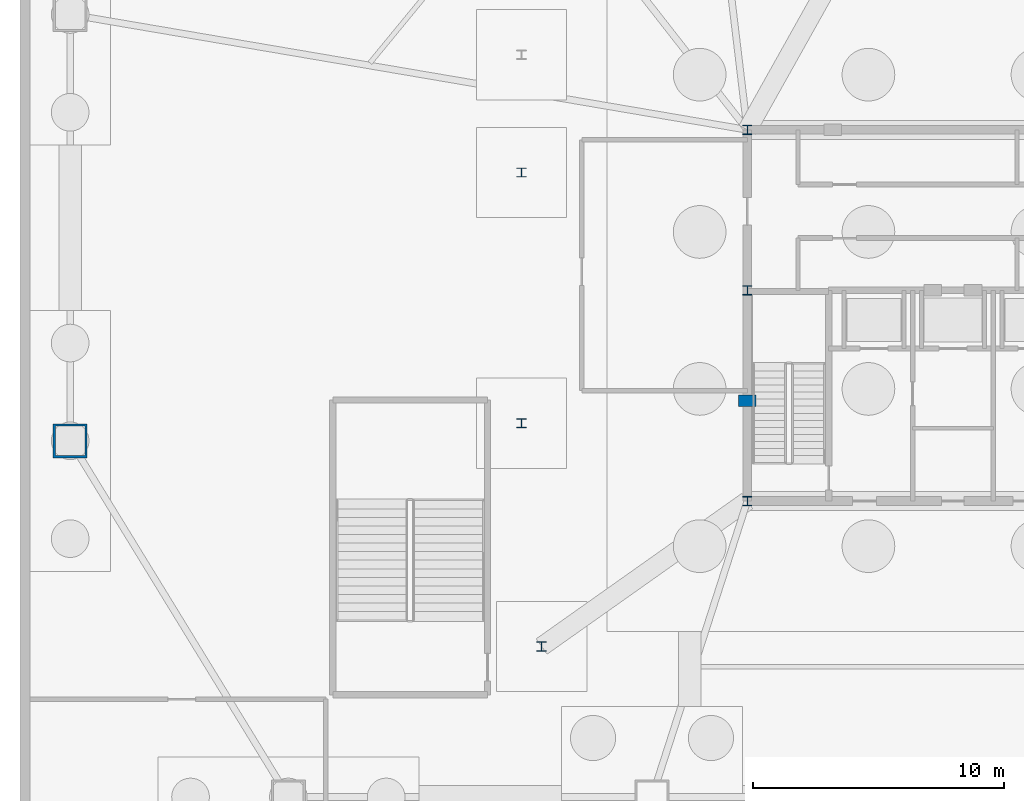
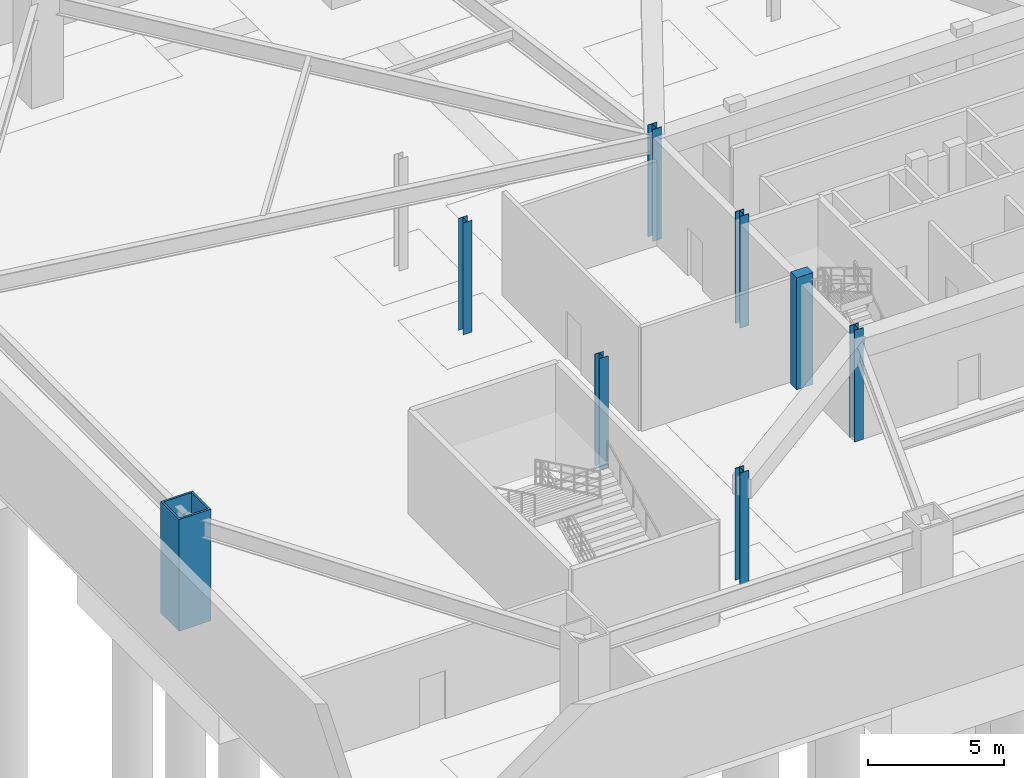
# One storey, part 2 of 12: 8 columns.
"""IFC4 building model written with IfcOpenShell, lengths in metres."""

from ifc_helpers import new_model, si_unit, direction, frame, origin, origin_2d, place, context, subcontext, project, spatial, rectangle, hollow_rectangle, i_section, extrude, material, material_profile, profile_set, type_object, element, save


model = new_model("IFC4")

# Units and contexts
model_context = context("Model", 3, precision=1e-05, world=origin(), true_north=direction((0.0, 1.0)))
body_context = subcontext(model_context, "Body", "Model", "MODEL_VIEW")
ifc_project = project(units=[si_unit("LENGTHUNIT", "METRE"), si_unit("AREAUNIT", "SQUARE_METRE"), si_unit("VOLUMEUNIT", "CUBIC_METRE"), si_unit("PLANEANGLEUNIT", "RADIAN"), si_unit("MASSUNIT", "GRAM", prefix="KILO")], contexts=[model_context])

# Site, building, storey
site_placement = place(None, origin())
site = spatial("IfcSite", under=ifc_project, at=site_placement, CompositionType="ELEMENT")
building_placement = place(site_placement, origin())
building = spatial("IfcBuilding", under=site, at=building_placement, Name="Varakhsha Concourse Tower", CompositionType="ELEMENT")
storey_placement = place(building_placement, frame((0.0, 0.0, -10.0)))
storey = spatial("IfcBuildingStorey", under=building, at=storey_placement, Name="B02", CompositionType="ELEMENT", Elevation=-10.0)

# Columns
ifc_material_1 = material(Name="Structural Steel ASTM A992 Grade 50", Category="steel")
ifc_material_profile_1 = material_profile(ifc_material_1, i_section(OverallWidth=0.3740234375, OverallDepth=0.3720703125, WebThickness=0.01611328125, FlangeThickness=0.02587890625, at=origin_2d()), Name="W14X132")
ifc_profile_set_1 = profile_set([ifc_material_profile_1], Name="Structural Steel ASTM A992 Grade 50")
column_type_1 = type_object("IfcColumnType", Name="CL-CORE-W14X132", PredefinedType="COLUMN", material=ifc_profile_set_1)
for number, where, z_axis, x_axis, name in (
    (1, (31.800048828125, 16.39990234375, 0.0), (0.0, 0.0, 1.0), (1.0, 0.0, 0.0), "B02 Core Column CC-SW"),
    (2, (31.800048828125, 24.800048828125, 0.0), (0.0, 0.0, 1.0), (1.0, 0.0, 0.0), "B02 Core Column CC-MW"),
    (3, (31.800048828125, 31.199951171875, 0.0), (0.0, 0.0, 1.0), (1.0, 0.0, 0.0), "B02 Core Column CC-NW"),
    (4, (23.60009765625, 10.60009765625, 0.0), (0.0, 0.0, 1.0), (1.0, 0.0, 0.0), "B02 Core Column SS-W"),
):
    element("IfcColumn", number, at=place(storey_placement, frame(where, z_axis=z_axis, x_axis=x_axis)), inside=storey, type_object=column_type_1, Name=name, PredefinedType="COLUMN", context=body_context, shape_type="SweptSolid", body=[
        extrude(i_section(OverallWidth=0.3740234375, OverallDepth=0.3720703125, WebThickness=0.01611328125, FlangeThickness=0.02587890625, at=origin_2d()), origin(), (0.0, 0.0, 1.0), 5.0),
    ])
ifc_material_2 = material(Name="Concrete fc 65 MPa", Category="concrete")
ifc_material_profile_2 = material_profile(ifc_material_2, rectangle(XDim=0.699951171875, YDim=0.449951171875, at=origin_2d()), Name="RC 700x450")
ifc_profile_set_2 = profile_set([ifc_material_profile_2], Name="Concrete fc 65 MPa")
column_type_2 = type_object("IfcColumnType", Name="CL-PIL-700X450", PredefinedType="PILASTER", material=ifc_profile_set_2)
column_1_placement = place(storey_placement, frame((31.800048828125, 20.39990234375, 0.0), z_axis=(0.0, 0.0, 1.0), x_axis=(1.0, 0.0, 0.0)))
element("IfcColumn", 5, at=column_1_placement, inside=storey, type_object=column_type_2, Name="B02 Core Boundary Pilaster PIL-W1", PredefinedType="PILASTER", context=body_context, shape_type="SweptSolid", body=[
    extrude(rectangle(XDim=0.699951171875, YDim=0.449951171875, at=origin_2d()), origin(), (0.0, 0.0, 1.0), 5.0),
])
ifc_material_profile_3 = material_profile(ifc_material_1, i_section(OverallWidth=0.368896484375, OverallDepth=0.35595703125, WebThickness=0.010986328125, FlangeThickness=0.01806640625, at=origin_2d()), Name="W14X90")
ifc_profile_set_3 = profile_set([ifc_material_profile_3], Name="Structural Steel ASTM A992 Grade 50")
column_type_3 = type_object("IfcColumnType", Name="CL-POD-W14X90", PredefinedType="COLUMN", material=ifc_profile_set_3)
for number, where, z_axis, x_axis, name in (
    (6, (22.800048828125, 19.5, 0.0), (0.0, 0.0, 1.0), (1.0, 0.0, 0.0), "B02 Substructure Column AUX-W1"),
    (7, (22.800048828125, 29.5, 0.0), (0.0, 0.0, 1.0), (1.0, 0.0, 0.0), "B02 Substructure Column AUX-W2"),
):
    element("IfcColumn", number, at=place(storey_placement, frame(where, z_axis=z_axis, x_axis=x_axis)), inside=storey, type_object=column_type_3, Name=name, PredefinedType="COLUMN", context=body_context, shape_type="SweptSolid", body=[
        extrude(i_section(OverallWidth=0.368896484375, OverallDepth=0.35595703125, WebThickness=0.010986328125, FlangeThickness=0.01806640625, at=origin_2d()), origin(), (0.0, 0.0, 1.0), 5.0),
    ])
ifc_material_3 = material(Name="Structural Steel ASTM A572 Grade 50", Category="steel")
ifc_material_profile_4 = material_profile(ifc_material_3, hollow_rectangle(XDim=1.35009765625, YDim=1.35009765625, WallThickness=0.0849609375, at=origin_2d()), Name="BOX 1350x1350x85")
ifc_profile_set_4 = profile_set([ifc_material_profile_4], Name="Structural Steel ASTM A572 Grade 50")
column_type_4 = type_object("IfcColumnType", Name="CL-STILT-1350", PredefinedType="COLUMN", material=ifc_profile_set_4)
column_2_placement = place(storey_placement, frame((4.800048828125, 18.800048828125, 0.0), z_axis=(0.0, 0.0, 1.0), x_axis=(1.0, 0.0, 0.0)))
element("IfcColumn", 8, at=column_2_placement, inside=storey, type_object=column_type_4, Name="B02 Podium Mega-Column PC-W1", PredefinedType="COLUMN", context=body_context, shape_type="SweptSolid", body=[
    extrude(hollow_rectangle(XDim=1.35009765625, YDim=1.35009765625, WallThickness=0.0849609375, at=origin_2d()), origin(), (0.0, 0.0, 1.0), 5.0),
])

save(model, "model.ifc")
